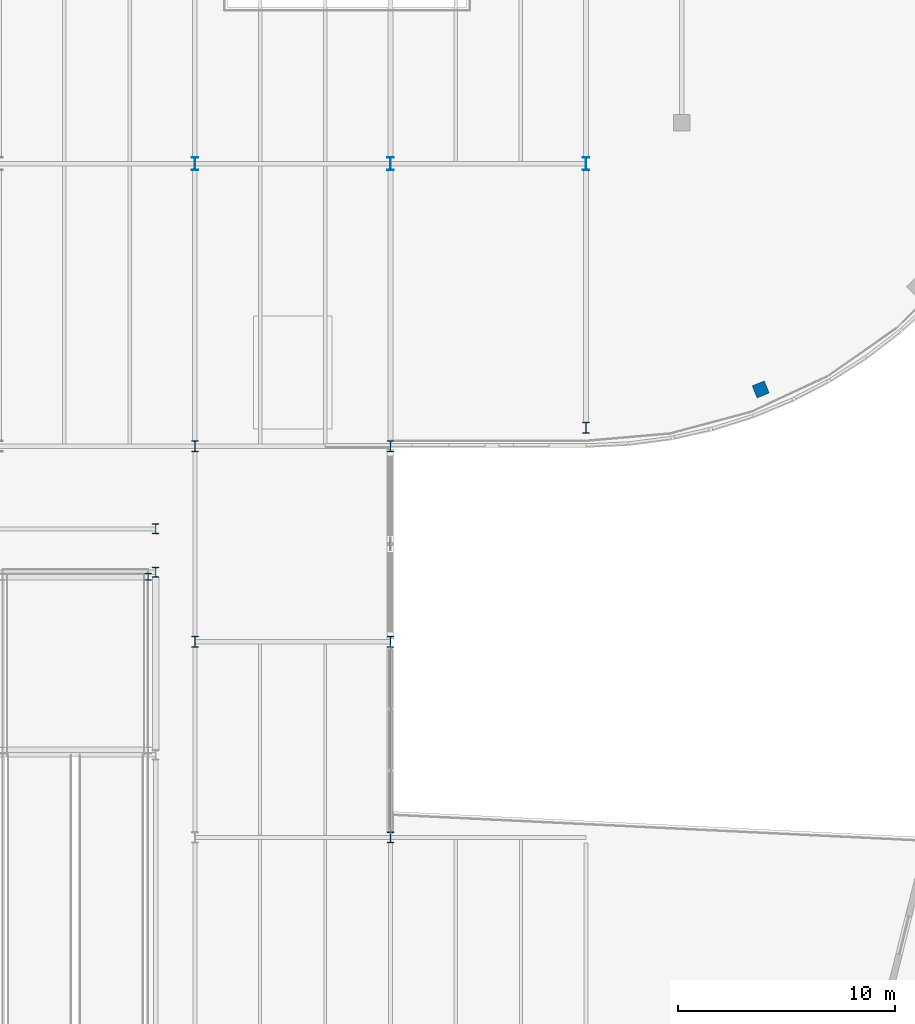
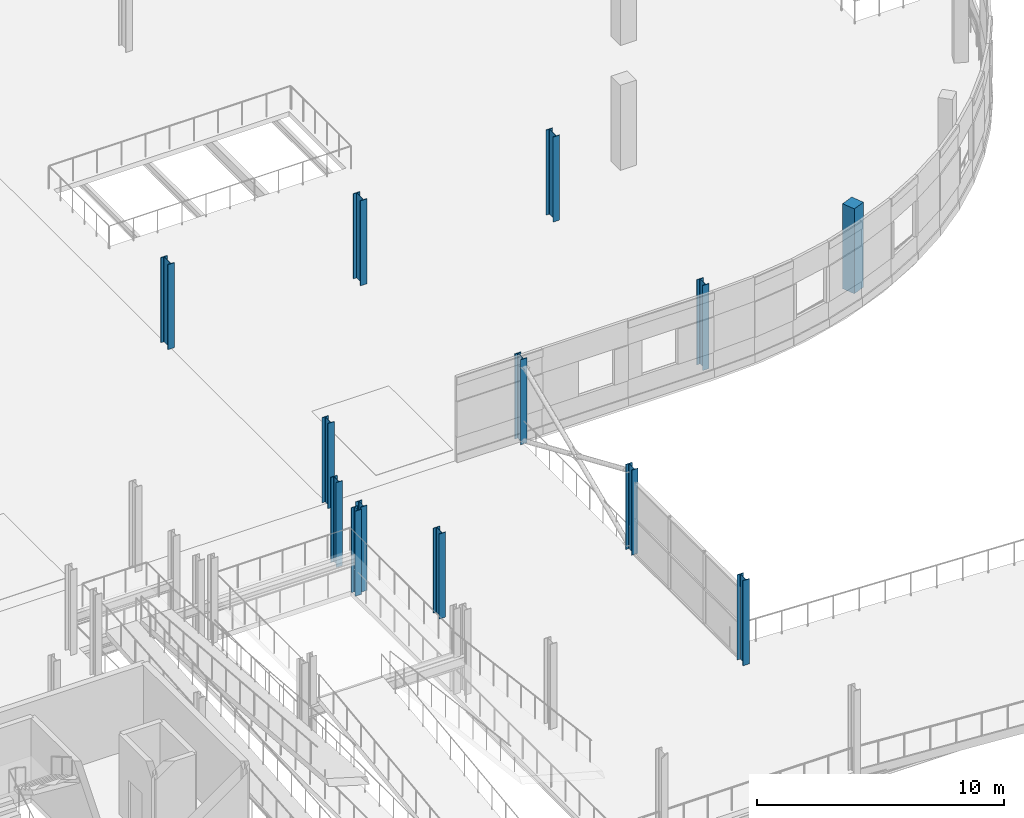
# One storey, part 12 of 135: 13 columns.
"""IFC4 building model written with IfcOpenShell, lengths in metres."""

from ifc_helpers import new_model, si_unit, direction, frame, origin, origin_2d, place, context, subcontext, project, spatial, rectangle, i_section, extrude, material, material_profile, profile_set, type_object, element, save


model = new_model("IFC4")

# Units and contexts
model_context = context("Model", 3, precision=1e-05, world=origin(), true_north=direction((0.0, 1.0)))
body_context = subcontext(model_context, "Body", "Model", "MODEL_VIEW")
ifc_project = project(units=[si_unit("LENGTHUNIT", "METRE"), si_unit("AREAUNIT", "SQUARE_METRE"), si_unit("VOLUMEUNIT", "CUBIC_METRE"), si_unit("PLANEANGLEUNIT", "RADIAN"), si_unit("MASSUNIT", "GRAM", prefix="KILO")], contexts=[model_context])

# Site, building, storey
site_placement = place(None, origin())
site = spatial("IfcSite", under=ifc_project, at=site_placement, CompositionType="ELEMENT")
building_placement = place(site_placement, origin())
building = spatial("IfcBuilding", under=site, at=building_placement, Name="Deido Ridge Mobility Hub", CompositionType="ELEMENT")
storey_placement = place(building_placement, frame((0.0, 0.0, 4.199951171875)))
storey = spatial("IfcBuildingStorey", under=building, at=storey_placement, Name="L01", CompositionType="ELEMENT", Elevation=4.199951171875)

# Columns
ifc_material_1 = material(Name="Steel S355J2 EN 10025-2", Category="steel")
ifc_material_profile_1 = material_profile(ifc_material_1, i_section(OverallWidth=0.300048828125, OverallDepth=0.320068359375, WebThickness=0.011474609375, FlangeThickness=0.0205078125, FilletRadius=0.027099609375, at=origin_2d()), Name="HEB 320")
ifc_profile_set_1 = profile_set([ifc_material_profile_1], Name="Steel S355J2 EN 10025-2")
column_type_1 = type_object("IfcColumnType", Name="COL-HEB320", PredefinedType="COLUMN", material=ifc_profile_set_1)
column_1_placement = place(storey_placement, frame((96.85009765625, 75.0, 0.0), z_axis=(0.0, 0.0, 1.0), x_axis=(1.0, 0.0, 0.0)))
element("IfcColumn", 1, at=column_1_placement, inside=storey, type_object=column_type_1, Name="Structural column C9", PredefinedType="COLUMN", context=body_context, shape_type="SweptSolid", body=[
    extrude(i_section(OverallWidth=0.300048828125, OverallDepth=0.320068359375, WebThickness=0.011474609375, FlangeThickness=0.0205078125, FilletRadius=0.027099609375, at=origin_2d()), origin(), (0.0, 0.0, 1.0), 4.199951171875),
])
ifc_material_profile_2 = material_profile(ifc_material_1, i_section(OverallWidth=0.300048828125, OverallDepth=0.449951171875, WebThickness=0.013916015625, FlangeThickness=0.02587890625, FilletRadius=0.027099609375, at=origin_2d()), Name="HEB 450")
ifc_profile_set_2 = profile_set([ifc_material_profile_2], Name="Steel S355J2 EN 10025-2")
column_type_2 = type_object("IfcColumnType", Name="COL-HEB450", PredefinedType="COLUMN", material=ifc_profile_set_2)
for number, where, z_axis, x_axis, name in (
    (2, (97.199951171875, 75.199951171875, 0.0), (0.0, 0.0, 1.0), (1.0, 0.0, 0.0), "Structural column C6"),
    (3, (97.199951171875, 77.199951171875, 0.0), (0.0, 0.0, 1.0), (1.0, 0.0, 0.0), "Structural column C6"),
):
    element("IfcColumn", number, at=place(storey_placement, frame(where, z_axis=z_axis, x_axis=x_axis)), inside=storey, type_object=column_type_2, Name=name, PredefinedType="COLUMN", context=body_context, shape_type="SweptSolid", body=[
        extrude(i_section(OverallWidth=0.300048828125, OverallDepth=0.449951171875, WebThickness=0.013916015625, FlangeThickness=0.02587890625, FilletRadius=0.027099609375, at=origin_2d()), origin(), (0.0, 0.0, 1.0), 4.199951171875),
    ])
ifc_material_profile_3 = material_profile(ifc_material_1, i_section(OverallWidth=0.300048828125, OverallDepth=0.5, WebThickness=0.014404296875, FlangeThickness=0.028076171875, FilletRadius=0.027099609375, at=origin_2d()), Name="HEB 500")
ifc_profile_set_3 = profile_set([ifc_material_profile_3], Name="Steel S355J2 EN 10025-2")
column_type_3 = type_object("IfcColumnType", Name="COL-HEB500", PredefinedType="COLUMN", material=ifc_profile_set_3)
for number, where, z_axis, x_axis, name in (
    (4, (99.0, 72.0, 0.0), (0.0, 0.0, 1.0), (1.0, 0.0, 0.0), "Structural column C5"),
    (5, (99.0, 81.0, 0.0), (0.0, 0.0, 1.0), (1.0, 0.0, 0.0), "Structural column C5"),
    (6, (108.0, 63.0, 0.0), (0.0, 0.0, 1.0), (1.0, 0.0, 0.0), "Structural column C5"),
    (7, (108.0, 72.0, 0.0), (0.0, 0.0, 1.0), (1.0, 0.0, 0.0), "Structural column C5"),
    (8, (108.0, 81.0, 0.0), (0.0, 0.0, 1.0), (1.0, 0.0, 0.0), "Structural column C5"),
    (9, (117.0, 81.85009765625, 0.0), (0.0, 0.0, 1.0), (1.0, 0.0, 0.0), "Structural column C5"),
):
    element("IfcColumn", number, at=place(storey_placement, frame(where, z_axis=z_axis, x_axis=x_axis)), inside=storey, type_object=column_type_3, Name=name, PredefinedType="COLUMN", context=body_context, shape_type="SweptSolid", body=[
        extrude(i_section(OverallWidth=0.300048828125, OverallDepth=0.5, WebThickness=0.014404296875, FlangeThickness=0.028076171875, FilletRadius=0.027099609375, at=origin_2d()), origin(), (0.0, 0.0, 1.0), 4.199951171875),
    ])
ifc_material_profile_4 = material_profile(ifc_material_1, i_section(OverallWidth=0.300048828125, OverallDepth=0.60009765625, WebThickness=0.015380859375, FlangeThickness=0.030029296875, FilletRadius=0.027099609375, at=origin_2d()), Name="HEB 600")
ifc_profile_set_4 = profile_set([ifc_material_profile_4], Name="Steel S355J2 EN 10025-2")
column_type_4 = type_object("IfcColumnType", Name="COL-HEB600", PredefinedType="COLUMN", material=ifc_profile_set_4)
for number, where, z_axis, x_axis, name in (
    (10, (99.0, 94.0, 0.0), (0.0, 0.0, 1.0), (1.0, 0.0, 0.0), "Structural column C4"),
    (11, (108.0, 94.0, 0.0), (0.0, 0.0, 1.0), (1.0, 0.0, 0.0), "Structural column C4"),
    (12, (117.0, 94.0, 0.0), (0.0, 0.0, 1.0), (1.0, 0.0, 0.0), "Structural column C4"),
):
    element("IfcColumn", number, at=place(storey_placement, frame(where, z_axis=z_axis, x_axis=x_axis)), inside=storey, type_object=column_type_4, Name=name, PredefinedType="COLUMN", context=body_context, shape_type="SweptSolid", body=[
        extrude(i_section(OverallWidth=0.300048828125, OverallDepth=0.60009765625, WebThickness=0.015380859375, FlangeThickness=0.030029296875, FilletRadius=0.027099609375, at=origin_2d()), origin(), (0.0, 0.0, 1.0), 4.199951171875),
    ])
ifc_material_2 = material(Name="Concrete C40/50", Category="concrete")
ifc_material_profile_5 = material_profile(ifc_material_2, rectangle(XDim=0.60009765625, YDim=0.60009765625, at=origin_2d()), Name="RC COL 600x600")
ifc_profile_set_5 = profile_set([ifc_material_profile_5], Name="Concrete C40/50")
column_type_5 = type_object("IfcColumnType", Name="COL-RC600", PredefinedType="COLUMN", material=ifc_profile_set_5)
column_2_placement = place(storey_placement, frame((125.035400390625, 83.61181640625, 0.0), z_axis=(0.0, 0.0, 1.0), x_axis=(0.374606593416, -0.927183854567, 0.0)))
element("IfcColumn", 13, at=column_2_placement, inside=storey, type_object=column_type_5, Name="Structural column RC2", PredefinedType="COLUMN", context=body_context, shape_type="SweptSolid", body=[
    extrude(rectangle(XDim=0.60009765625, YDim=0.60009765625, at=origin_2d()), origin(), (0.0, 0.0, 1.0), 4.199951171875),
])

save(model, "model.ifc")
